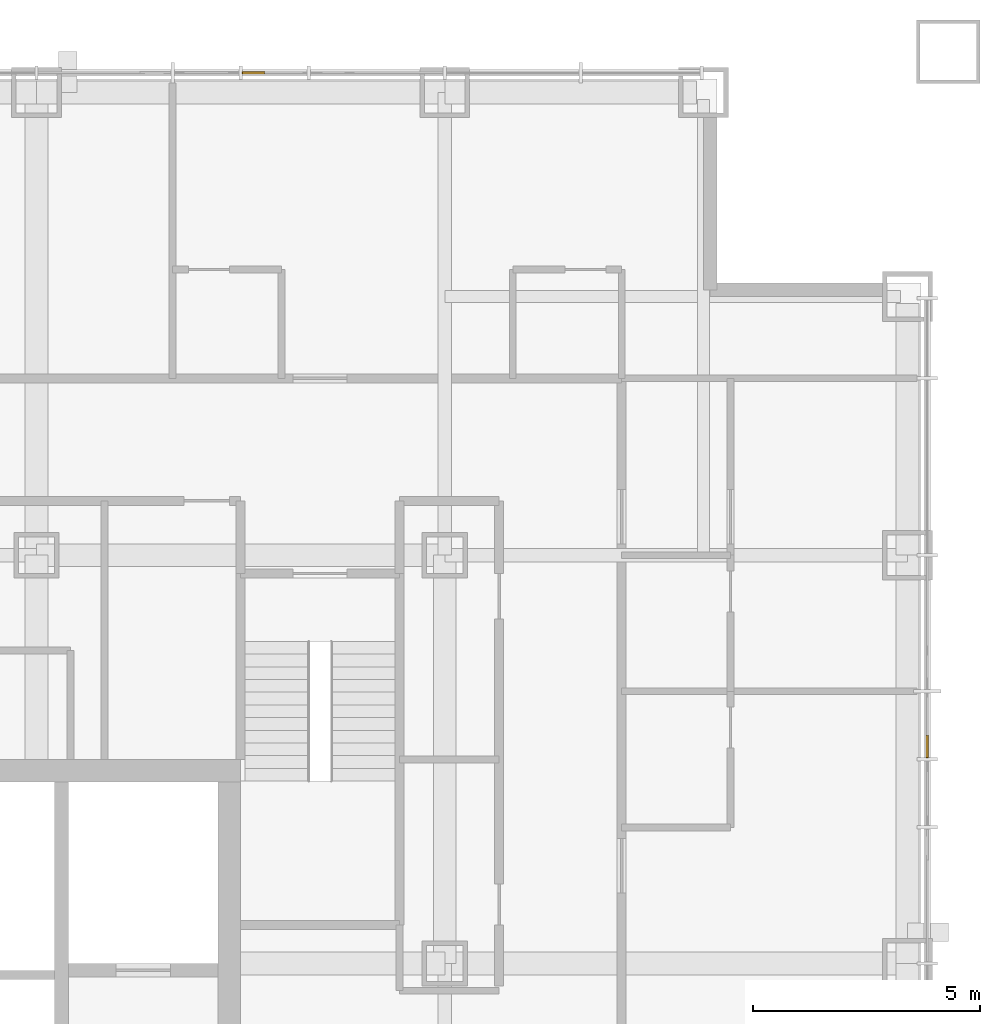
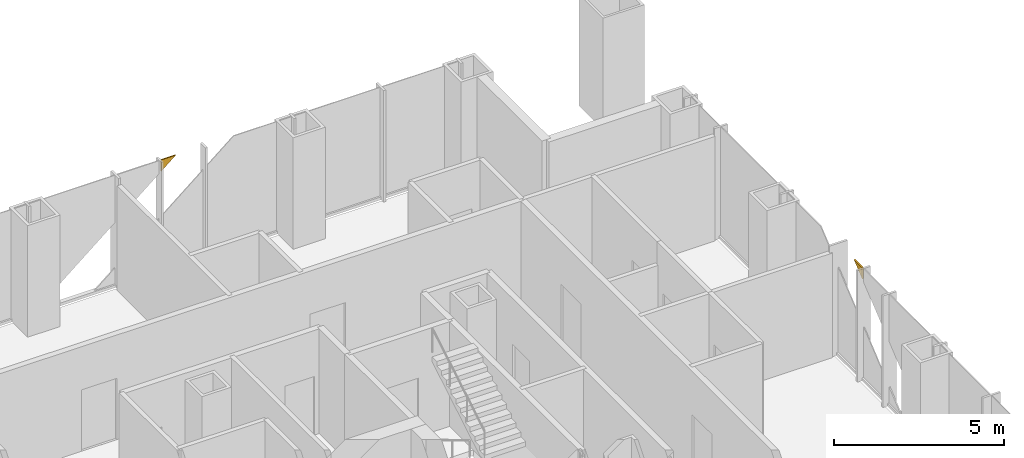
# One storey, part 18 of 18: 2 coverings.
"""IFC4 building model written with IfcOpenShell, lengths in metres."""

from ifc_helpers import new_model, si_unit, direction, frame, origin, place, context, subcontext, project, spatial, polyline, outline, extrude, material, layer, layer_set, type_object, element, save


model = new_model("IFC4")

# Units and contexts
model_context = context("Model", 3, precision=1e-05, world=origin(), true_north=direction((0.0, 1.0)))
body_context = subcontext(model_context, "Body", "Model", "MODEL_VIEW")
ifc_project = project(units=[si_unit("LENGTHUNIT", "METRE"), si_unit("AREAUNIT", "SQUARE_METRE"), si_unit("VOLUMEUNIT", "CUBIC_METRE"), si_unit("PLANEANGLEUNIT", "RADIAN"), si_unit("MASSUNIT", "GRAM", prefix="KILO")], contexts=[model_context])

# Site, building, storey
site_placement = place(None, origin())
site = spatial("IfcSite", under=ifc_project, at=site_placement, CompositionType="ELEMENT")
building_placement = place(site_placement, origin())
building = spatial("IfcBuilding", under=site, at=building_placement, Name="Malebo Sky Hospital", CompositionType="ELEMENT")
storey_placement = place(building_placement, frame((0.0, 0.0, 124.0)))
storey = spatial("IfcBuildingStorey", under=building, at=storey_placement, Name="L29", CompositionType="ELEMENT", Elevation=124.0)

# Coverings
ifc_material = material(Name="Anodised aluminium, natural silver insulated infill panel", Category="aluminium")
ifc_layer = layer(ifc_material, 0.0400390625)
ifc_layer_set = layer_set([ifc_layer], Name="BRACE INFILL PANEL 40")
covering_type = type_object("IfcCoveringType", Name="BRACE INFILL PANEL 40", PredefinedType="CLADDING", material=ifc_layer_set)
covering_1_placement = place(storey_placement, frame((69.28369140625, 86.135009765625, 3.584228515625), z_axis=(0.0, 0.0, 1.0), x_axis=(1.0, 0.0, 0.0)))
element("IfcCovering", 1, at=covering_1_placement, inside=storey, type_object=covering_type, Name="Brace infill panel 13.1", PredefinedType="CLADDING", context=body_context, shape_type="SweptSolid", body=[
    extrude(outline(polyline([(-0.24609375, 0.0), (0.24609375, 0.40576171875), (-0.24609375, 0.40576171875), (-0.24609375, 0.0)])), frame((0.0, 0.02001953125, 0.0), z_axis=(0.0, -1.0, 0.0), x_axis=(1.0, 0.0, 0.0)), (0.0, 0.0, 1.0), 0.0400390625),
])
covering_2_placement = place(storey_placement, frame((84.135009765625, 71.28369140625, 3.584228515625), z_axis=(0.0, 0.0, 1.0), x_axis=(0.0, -1.0, 0.0)))
element("IfcCovering", 2, at=covering_2_placement, inside=storey, type_object=covering_type, Name="Brace infill panel 4.1", PredefinedType="CLADDING", context=body_context, shape_type="SweptSolid", body=[
    extrude(outline(polyline([(0.24609375, 0.0), (0.24609375, 0.40576171875), (-0.24609375, 0.40576171875), (0.24609375, 0.0)])), frame((0.0, 0.02001953125, 0.0), z_axis=(0.0, -1.0, 0.0), x_axis=(1.0, 0.0, 0.0)), (0.0, 0.0, 1.0), 0.0400390625),
])

save(model, "model.ifc")
